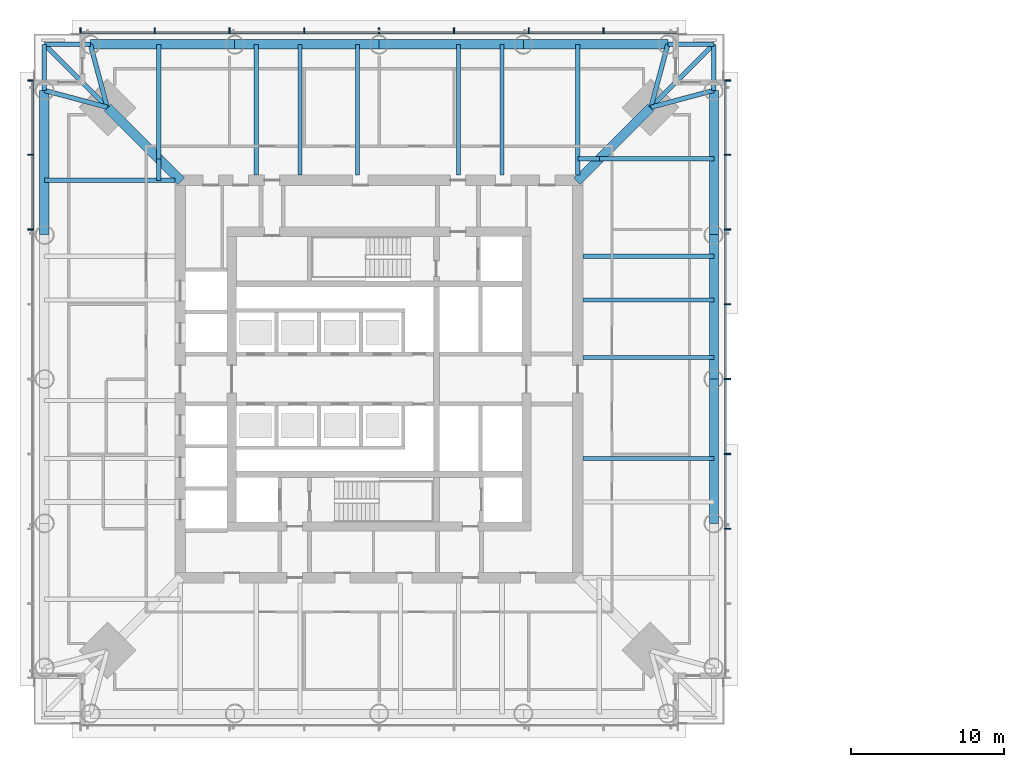
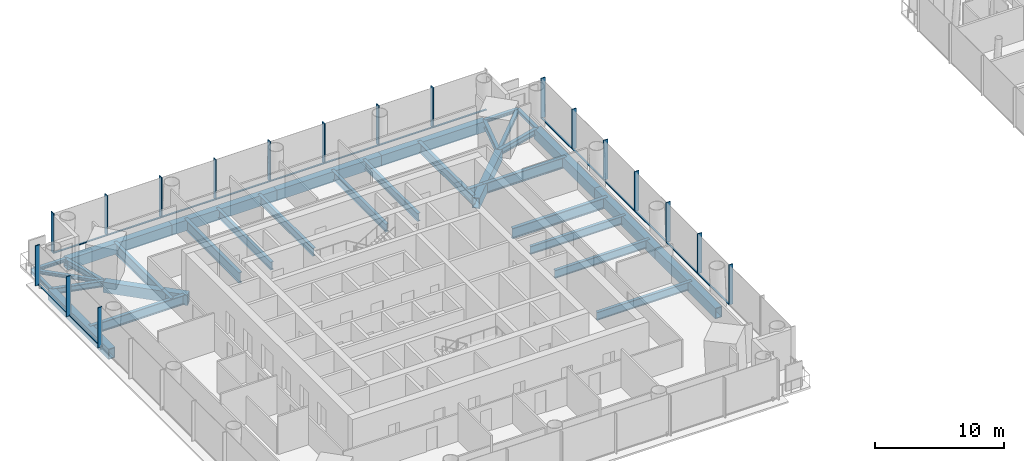
# One storey, part 3 of 27: 44 members, 25 beams, 3 elements without a shape of their own.
"""IFC4 building model written with IfcOpenShell, lengths in metres."""

from ifc_helpers import new_model, si_unit, direction, frame, origin, origin_2d, place, context, subcontext, project, spatial, rectangle, hollow_rectangle, i_section, extrude, material, material_profile, profile_set, type_object, element, aggregate, save


model = new_model("IFC4")

# Units and contexts
model_context = context("Model", 3, precision=1e-05, world=origin(), true_north=direction((0.0, 1.0)))
body_context = subcontext(model_context, "Body", "Model", "MODEL_VIEW")
ifc_project = project(units=[si_unit("LENGTHUNIT", "METRE"), si_unit("AREAUNIT", "SQUARE_METRE"), si_unit("VOLUMEUNIT", "CUBIC_METRE"), si_unit("PLANEANGLEUNIT", "RADIAN"), si_unit("MASSUNIT", "GRAM", prefix="KILO")], contexts=[model_context])

# Site, building, storey
site_placement = place(None, origin())
site = spatial("IfcSite", under=ifc_project, at=site_placement, CompositionType="ELEMENT")
building_placement = place(site_placement, origin())
building = spatial("IfcBuilding", under=site, at=building_placement, Name="Ostroluk Exchange", CompositionType="ELEMENT")
storey_placement = place(building_placement, frame((0.0, 0.0, 89.39990234375)))
storey = spatial("IfcBuildingStorey", under=building, at=storey_placement, Name="L22", CompositionType="ELEMENT", Elevation=89.39990234375)

# Beams
ifc_material_1 = material(Name="Steel S355", Category="steel")
ifc_material_profile_1 = material_profile(ifc_material_1, i_section(OverallWidth=0.300048828125, OverallDepth=0.300048828125, WebThickness=0.010986328125, FlangeThickness=0.01904296875, FilletRadius=0.027099609375, at=origin_2d()), Name="HEB 300")
ifc_profile_set_1 = profile_set([ifc_material_profile_1], Name="Steel S355")
beam_type_1 = type_object("IfcBeamType", Name="Balcony beam HEB 300", PredefinedType="BEAM", material=ifc_profile_set_1)
for number, where, z_axis, x_axis, name in (
    (1, (66.814208984375, 64.814208984375, -0.349853515625), (0.0, 1.0, 0.0), (-1.0, 0.0, 0.0), "T1 east balcony beam a"),
    (2, (63.814208984375, 67.814208984375, -0.349853515625), (1.0, 0.0, 0.0), (0.0, 1.0, 0.0), "T1 east balcony beam b"),
):
    element("IfcBeam", number, at=place(storey_placement, frame(where, z_axis=z_axis, x_axis=x_axis)), inside=storey, type_object=beam_type_1, Name=name, PredefinedType="BEAM", context=body_context, shape_type="SweptSolid", body=[
        extrude(i_section(OverallWidth=0.300048828125, OverallDepth=0.300048828125, WebThickness=0.010986328125, FlangeThickness=0.01904296875, FilletRadius=0.027099609375, at=origin_2d()), origin(), (0.0, 0.0, 1.0), 3.0),
    ])
beam_1_placement = place(storey_placement, frame((62.71435546875, 63.71435546875, -0.349853515625), z_axis=(0.707106781187, 0.707106781187, 0.0), x_axis=(-0.707106781187, 0.707106781187, 0.0)))
element("IfcBeam", 3, at=beam_1_placement, inside=storey, type_object=beam_type_1, Name="T1 east balcony beam c", PredefinedType="BEAM", context=body_context, shape_type="SweptSolid", body=[
    extrude(i_section(OverallWidth=0.300048828125, OverallDepth=0.300048828125, WebThickness=0.010986328125, FlangeThickness=0.01904296875, FilletRadius=0.027099609375, at=origin_2d()), origin(), (0.0, 0.0, 1.0), 5.798095703125),
])
for number, where, z_axis, x_axis, name in (
    (4, (26.185791015625, 67.814208984375, -0.349853515625), (-1.0, 0.0, 0.0), (0.0, -1.0, 0.0), "T1 north balcony beam a"),
    (5, (23.185791015625, 64.814208984375, -0.349853515625), (0.0, 1.0, 0.0), (-1.0, 0.0, 0.0), "T1 north balcony beam b"),
):
    element("IfcBeam", number, at=place(storey_placement, frame(where, z_axis=z_axis, x_axis=x_axis)), inside=storey, type_object=beam_type_1, Name=name, PredefinedType="BEAM", context=body_context, shape_type="SweptSolid", body=[
        extrude(i_section(OverallWidth=0.300048828125, OverallDepth=0.300048828125, WebThickness=0.010986328125, FlangeThickness=0.01904296875, FilletRadius=0.027099609375, at=origin_2d()), origin(), (0.0, 0.0, 1.0), 3.0),
    ])
beam_2_placement = place(storey_placement, frame((27.28564453125, 63.71435546875, -0.349853515625), z_axis=(-0.707106781187, 0.707106781187, 0.0), x_axis=(-0.707106781187, -0.707106781187, 0.0)))
element("IfcBeam", 6, at=beam_2_placement, inside=storey, type_object=beam_type_1, Name="T1 north balcony beam c", PredefinedType="BEAM", context=body_context, shape_type="SweptSolid", body=[
    extrude(i_section(OverallWidth=0.300048828125, OverallDepth=0.300048828125, WebThickness=0.010986328125, FlangeThickness=0.01904296875, FilletRadius=0.027099609375, at=origin_2d()), origin(), (0.0, 0.0, 1.0), 5.798095703125),
])

# Members
ifc_material_2 = material(Name="Steel S460", Category="steel")
ifc_material_profile_2 = material_profile(ifc_material_2, hollow_rectangle(XDim=0.60009765625, YDim=1.0, WallThickness=0.06005859375, at=origin_2d()), Name="BOX 600x1000x60")
ifc_profile_set_2 = profile_set([ifc_material_profile_2], Name="Steel S460")
member_type_1 = type_object("IfcMemberType", Name="Belt truss chord BOX 600x1000x60", PredefinedType="CHORD", material=ifc_profile_set_2)
for number, where, z_axis, x_axis, name in (
    (7, (66.814208984375, 36.5927734375, -0.699951171875), (0.0, 1.0, 0.0), (-1.0, 0.0, 0.0), "Belt truss 1 east chord 3.2"),
    (8, (66.814208984375, 46.0, -0.699951171875), (0.0, 1.0, 0.0), (-1.0, 0.0, 0.0), "Belt truss 1 east chord 3.3"),
):
    element("IfcMember", number, at=place(storey_placement, frame(where, z_axis=z_axis, x_axis=x_axis)), inside=storey, type_object=member_type_1, Name=name, PredefinedType="CHORD", context=body_context, shape_type="SweptSolid", body=[
        extrude(hollow_rectangle(XDim=0.60009765625, YDim=1.0, WallThickness=0.06005859375, at=origin_2d()), origin(), (0.0, 0.0, 1.0), 9.4072265625),
    ])
for number, where, z_axis, x_axis, name in (
    (9, (66.814208984375, 55.4072265625, -0.699951171875), (0.0, 1.0, 0.0), (-1.0, 0.0, 0.0), "Belt truss 1 east chord 3.4"),
    (10, (63.814208984375, 67.814208984375, -0.699951171875), (-1.0, 0.0, 0.0), (0.0, -1.0, 0.0), "Belt truss 1 north chord 3.1"),
):
    element("IfcMember", number, at=place(storey_placement, frame(where, z_axis=z_axis, x_axis=x_axis)), inside=storey, type_object=member_type_1, Name=name, PredefinedType="CHORD", context=body_context, shape_type="SweptSolid", body=[
        extrude(hollow_rectangle(XDim=0.60009765625, YDim=1.0, WallThickness=0.06005859375, at=origin_2d()), origin(), (0.0, 0.0, 1.0), 9.406982421875),
    ])
for number, where, z_axis, x_axis, name in (
    (11, (54.4072265625, 67.814208984375, -0.699951171875), (-1.0, 0.0, 0.0), (0.0, -1.0, 0.0), "Belt truss 1 north chord 3.2"),
    (12, (45.0, 67.814208984375, -0.699951171875), (-1.0, 0.0, 0.0), (0.0, -1.0, 0.0), "Belt truss 1 north chord 3.3"),
):
    element("IfcMember", number, at=place(storey_placement, frame(where, z_axis=z_axis, x_axis=x_axis)), inside=storey, type_object=member_type_1, Name=name, PredefinedType="CHORD", context=body_context, shape_type="SweptSolid", body=[
        extrude(hollow_rectangle(XDim=0.60009765625, YDim=1.0, WallThickness=0.06005859375, at=origin_2d()), origin(), (0.0, 0.0, 1.0), 9.4072265625),
    ])
for number, where, z_axis, x_axis, name in (
    (13, (35.5927734375, 67.814208984375, -0.699951171875), (-1.0, 0.0, 0.0), (0.0, -1.0, 0.0), "Belt truss 1 north chord 3.4"),
    (14, (23.185791015625, 64.814208984375, -0.699951171875), (0.0, -1.0, 0.0), (1.0, 0.0, 0.0), "Belt truss 1 west chord 3.1"),
):
    element("IfcMember", number, at=place(storey_placement, frame(where, z_axis=z_axis, x_axis=x_axis)), inside=storey, type_object=member_type_1, Name=name, PredefinedType="CHORD", context=body_context, shape_type="SweptSolid", body=[
        extrude(hollow_rectangle(XDim=0.60009765625, YDim=1.0, WallThickness=0.06005859375, at=origin_2d()), origin(), (0.0, 0.0, 1.0), 9.406982421875),
    ])

# Beams
ifc_material_3 = material(Name="Steel S355", Category="steel")
ifc_material_profile_3 = material_profile(ifc_material_3, i_section(OverallWidth=0.300048828125, OverallDepth=0.550048828125, WebThickness=0.014892578125, FlangeThickness=0.029052734375, FilletRadius=0.027099609375, at=origin_2d()), Name="HEB 550")
ifc_profile_set_3 = profile_set([ifc_material_profile_3], Name="Steel S355")
beam_type_2 = type_object("IfcBeamType", Name="Corner edge beam HEB 550", PredefinedType="SPANDREL", material=ifc_profile_set_3)
for number, where, z_axis, x_axis, name in (
    (15, (62.71435546875, 63.71435546875, -0.474853515625), (0.965849156574, 0.259105011038, 0.0), (-0.259105011038, 0.965849156574, 0.0), "T1 east corner edge beam a"),
    (16, (62.71435546875, 63.71435546875, -0.474853515625), (0.259105011038, 0.965849156574, 0.0), (-0.965849156574, 0.259105011038, 0.0), "T1 east corner edge beam b"),
    (17, (27.28564453125, 63.71435546875, -0.474853515625), (-0.259105011038, 0.965849156574, 0.0), (-0.965849156574, -0.259105011038, 0.0), "T1 north corner edge beam a"),
    (18, (27.28564453125, 63.71435546875, -0.474853515625), (-0.965849156574, 0.259105011038, 0.0), (-0.259105011038, -0.965849156574, 0.0), "T1 north corner edge beam b"),
):
    element("IfcBeam", number, at=place(storey_placement, frame(where, z_axis=z_axis, x_axis=x_axis)), inside=storey, type_object=beam_type_2, Name=name, PredefinedType="SPANDREL", context=body_context, shape_type="SweptSolid", body=[
        extrude(i_section(OverallWidth=0.300048828125, OverallDepth=0.550048828125, WebThickness=0.014892578125, FlangeThickness=0.029052734375, FilletRadius=0.027099609375, at=origin_2d()), origin(), (0.0, 0.0, 1.0), 4.244873046875),
    ])
ifc_material_4 = material(Name="Steel S355", Category="steel")
ifc_material_profile_4 = material_profile(ifc_material_4, i_section(OverallWidth=0.302001953125, OverallDepth=1.008056640625, WebThickness=0.02099609375, FlangeThickness=0.0400390625, FilletRadius=0.030029296875, at=origin_2d()), Name="HEM 1000")
ifc_profile_set_4 = profile_set([ifc_material_profile_4], Name="Steel S355")
beam_type_3 = type_object("IfcBeamType", Name="Floor beam HEM 1000", PredefinedType="BEAM", material=ifc_profile_set_4)
beam_3_placement = place(storey_placement, frame((58.300048828125, 54.007080078125, -0.703857421875), z_axis=(1.0, 0.0, 0.0), x_axis=(0.0, 1.0, 0.0)))
element("IfcBeam", 19, at=beam_3_placement, inside=storey, type_object=beam_type_3, Name="T1 east floor beam 5", PredefinedType="BEAM", context=body_context, shape_type="SweptSolid", body=[
    extrude(i_section(OverallWidth=0.302001953125, OverallDepth=1.008056640625, WebThickness=0.02099609375, FlangeThickness=0.0400390625, FilletRadius=0.030029296875, at=origin_2d()), origin(), (0.0, 0.0, 1.0), 8.51416015625),
])
beam_4_placement = place(storey_placement, frame((57.949951171875, 60.35009765625, -0.703857421875), z_axis=(1.0, 0.0, 0.0), x_axis=(0.0, 1.0, 0.0)))
element("IfcBeam", 20, at=beam_4_placement, inside=storey, type_object=beam_type_3, Name="T1 east floor beam 6", PredefinedType="BEAM", context=body_context, shape_type="SweptSolid", body=[
    extrude(i_section(OverallWidth=0.302001953125, OverallDepth=1.008056640625, WebThickness=0.02099609375, FlangeThickness=0.0400390625, FilletRadius=0.030029296875, at=origin_2d()), origin(), (0.0, 0.0, 1.0), 1.400146484375),
])
beam_5_placement = place(storey_placement, frame((59.35009765625, 60.35009765625, -0.703857421875), z_axis=(1.0, 0.0, 0.0), x_axis=(0.0, 1.0, 0.0)))
element("IfcBeam", 21, at=beam_5_placement, inside=storey, type_object=beam_type_3, Name="T1 east floor beam 6", PredefinedType="BEAM", context=body_context, shape_type="SweptSolid", body=[
    extrude(i_section(OverallWidth=0.302001953125, OverallDepth=1.008056640625, WebThickness=0.02099609375, FlangeThickness=0.0400390625, FilletRadius=0.030029296875, at=origin_2d()), origin(), (0.0, 0.0, 1.0), 7.464111328125),
])
beam_6_placement = place(storey_placement, frame((36.992919921875, 59.300048828125, -0.703857421875), z_axis=(0.0, 1.0, 0.0), x_axis=(-1.0, 0.0, 0.0)))
element("IfcBeam", 22, at=beam_6_placement, inside=storey, type_object=beam_type_3, Name="T1 north floor beam 5", PredefinedType="BEAM", context=body_context, shape_type="SweptSolid", body=[
    extrude(i_section(OverallWidth=0.302001953125, OverallDepth=1.008056640625, WebThickness=0.02099609375, FlangeThickness=0.0400390625, FilletRadius=0.030029296875, at=origin_2d()), origin(), (0.0, 0.0, 1.0), 8.51416015625),
])
beam_7_placement = place(storey_placement, frame((30.64990234375, 58.949951171875, -0.703857421875), z_axis=(0.0, 1.0, 0.0), x_axis=(-1.0, 0.0, 0.0)))
element("IfcBeam", 23, at=beam_7_placement, inside=storey, type_object=beam_type_3, Name="T1 north floor beam 6", PredefinedType="BEAM", context=body_context, shape_type="SweptSolid", body=[
    extrude(i_section(OverallWidth=0.302001953125, OverallDepth=1.008056640625, WebThickness=0.02099609375, FlangeThickness=0.0400390625, FilletRadius=0.030029296875, at=origin_2d()), origin(), (0.0, 0.0, 1.0), 1.400146484375),
])
beam_8_placement = place(storey_placement, frame((30.64990234375, 60.35009765625, -0.703857421875), z_axis=(0.0, 1.0, 0.0), x_axis=(-1.0, 0.0, 0.0)))
element("IfcBeam", 24, at=beam_8_placement, inside=storey, type_object=beam_type_3, Name="T1 north floor beam 6", PredefinedType="BEAM", context=body_context, shape_type="SweptSolid", body=[
    extrude(i_section(OverallWidth=0.302001953125, OverallDepth=1.008056640625, WebThickness=0.02099609375, FlangeThickness=0.0400390625, FilletRadius=0.030029296875, at=origin_2d()), origin(), (0.0, 0.0, 1.0), 7.464111328125),
])
ifc_material_5 = material(Name="Steel S355", Category="steel")
ifc_material_profile_5 = material_profile(ifc_material_5, i_section(OverallWidth=0.26708984375, OverallDepth=0.761962890625, WebThickness=0.014404296875, FlangeThickness=0.021484375, FilletRadius=0.01708984375, at=origin_2d()), Name="IPE 750x173")
ifc_profile_set_5 = profile_set([ifc_material_profile_5], Name="Steel S355")
beam_type_4 = type_object("IfcBeamType", Name="Floor beam IPE 750x173", PredefinedType="BEAM", material=ifc_profile_set_5)
for number, where, z_axis, x_axis, name in (
    (25, (58.300048828125, 40.837158203125, -0.580810546875), (1.0, 0.0, 0.0), (0.0, 1.0, 0.0), "T1 east floor beam 2"),
    (26, (58.300048828125, 47.39990234375, -0.580810546875), (1.0, 0.0, 0.0), (0.0, 1.0, 0.0), "T1 east floor beam 3"),
    (27, (58.300048828125, 51.162841796875, -0.580810546875), (1.0, 0.0, 0.0), (0.0, 1.0, 0.0), "T1 east floor beam 4"),
    (28, (53.007080078125, 59.300048828125, -0.580810546875), (0.0, 1.0, 0.0), (-1.0, 0.0, 0.0), "T1 north floor beam 1"),
    (29, (50.162841796875, 59.300048828125, -0.580810546875), (0.0, 1.0, 0.0), (-1.0, 0.0, 0.0), "T1 north floor beam 2"),
    (30, (43.60009765625, 59.300048828125, -0.580810546875), (0.0, 1.0, 0.0), (-1.0, 0.0, 0.0), "T1 north floor beam 3"),
    (31, (39.837158203125, 59.300048828125, -0.580810546875), (0.0, 1.0, 0.0), (-1.0, 0.0, 0.0), "T1 north floor beam 4"),
):
    element("IfcBeam", number, at=place(storey_placement, frame(where, z_axis=z_axis, x_axis=x_axis)), inside=storey, type_object=beam_type_4, Name=name, PredefinedType="BEAM", context=body_context, shape_type="SweptSolid", body=[
        extrude(i_section(OverallWidth=0.26708984375, OverallDepth=0.761962890625, WebThickness=0.014404296875, FlangeThickness=0.021484375, FilletRadius=0.01708984375, at=origin_2d()), origin(), (0.0, 0.0, 1.0), 8.51416015625),
    ])
ifc_material_6 = material(Name="Steel S355", Category="steel")
ifc_material_profile_6 = material_profile(ifc_material_6, i_section(OverallWidth=0.300048828125, OverallDepth=0.89990234375, WebThickness=0.0185546875, FlangeThickness=0.034912109375, FilletRadius=0.030029296875, at=origin_2d()), Name="HEB 900")
ifc_profile_set_6 = profile_set([ifc_material_profile_6], Name="Steel S355")
beam_type_5 = type_object("IfcBeamType", Name="Girder HEB 900", PredefinedType="BEAM", material=ifc_profile_set_6)
for number, where, z_axis, x_axis, name in (
    (32, (57.949951171875, 59.300048828125, -0.64990234375), (0.0, 1.0, 0.0), (-1.0, 0.0, 0.0), "T1 east girder"),
    (33, (31.699951171875, 58.949951171875, -0.64990234375), (-1.0, 0.0, 0.0), (0.0, -1.0, 0.0), "T1 north girder"),
):
    element("IfcBeam", number, at=place(storey_placement, frame(where, z_axis=z_axis, x_axis=x_axis)), inside=storey, type_object=beam_type_5, Name=name, PredefinedType="BEAM", context=body_context, shape_type="SweptSolid", body=[
        extrude(i_section(OverallWidth=0.300048828125, OverallDepth=0.89990234375, WebThickness=0.0185546875, FlangeThickness=0.034912109375, FilletRadius=0.030029296875, at=origin_2d()), origin(), (0.0, 0.0, 1.0), 8.51416015625),
    ])

# Members
ifc_material_7 = material(Name="Steel S460", Category="steel")
ifc_material_profile_7 = material_profile(ifc_material_7, hollow_rectangle(XDim=0.60009765625, YDim=1.0, WallThickness=0.06005859375, at=origin_2d()), Name="BOX 600x1000x60")
ifc_profile_set_7 = profile_set([ifc_material_profile_7], Name="Steel S460")
member_type_2 = type_object("IfcMemberType", Name="Outrigger chord BOX 600x1000x60", PredefinedType="CHORD", material=ifc_profile_set_7)
for number, where, z_axis, x_axis, name in (
    (34, (57.89990234375, 58.89990234375, -0.699951171875), (0.707106781187, 0.707106781187, 0.0), (-0.707106781187, 0.707106781187, 0.0), "Outrigger 1 NE chord 3"),
    (35, (32.10009765625, 58.89990234375, -0.699951171875), (-0.707106781187, 0.707106781187, 0.0), (-0.707106781187, -0.707106781187, 0.0), "Outrigger 1 NW chord 3"),
):
    element("IfcMember", number, at=place(storey_placement, frame(where, z_axis=z_axis, x_axis=x_axis)), inside=storey, type_object=member_type_2, Name=name, PredefinedType="CHORD", context=body_context, shape_type="SweptSolid", body=[
        extrude(hollow_rectangle(XDim=0.60009765625, YDim=1.0, WallThickness=0.06005859375, at=origin_2d()), origin(), (0.0, 0.0, 1.0), 6.80859375),
    ])

# Curtain wall, members
ifc_material_8 = material(Name="Laminated clear glass", Category="glass")
curtain_wall_type = type_object("IfcCurtainWallType", Name="Office tower plant and sky lobby facade", PredefinedType="USERDEFINED", material=ifc_material_8)
curtain_wall_1_placement = place(storey_placement, origin())
curtain_wall_1 = element("IfcCurtainWall", 36, at=curtain_wall_1_placement, inside=storey, type_object=curtain_wall_type, Name="Office tower east facade L22", ObjectType="LOUVRED CURTAIN WALL", PredefinedType="USERDEFINED")
ifc_material_9 = material(Name="Aluminium mullion", Category="aluminium")
ifc_material_profile_8 = material_profile(ifc_material_9, rectangle(XDim=0.14990234375, YDim=0.080078125, at=origin_2d()), Name="Sill transom 80 x 150")
ifc_profile_set_8 = profile_set([ifc_material_profile_8], Name="Aluminium mullion")
member_type_3 = type_object("IfcMemberType", Name="Sill transom 80 x 150", PredefinedType="USERDEFINED", material=ifc_profile_set_8)
member_1_placement = place(storey_placement, frame((67.574951171875, 36.2900390625, 0.0400390625), z_axis=(0.0, 1.0, 0.0), x_axis=(-1.0, 0.0, 0.0)))
member_1 = element("IfcMember", 37, at=member_1_placement, type_object=member_type_3, Name="CW-P1 transom 3.1", ObjectType="TRANSOM", PredefinedType="USERDEFINED", context=body_context, shape_type="SweptSolid", body=[
    extrude(rectangle(XDim=0.14990234375, YDim=0.080078125, at=origin_2d()), origin(), (0.0, 0.0, 1.0), 4.794921875),
])
member_2_placement = place(storey_placement, frame((67.574951171875, 41.1650390625, 0.0400390625), z_axis=(0.0, 1.0, 0.0), x_axis=(-1.0, 0.0, 0.0)))
member_2 = element("IfcMember", 38, at=member_2_placement, type_object=member_type_3, Name="CW-P1 transom 4.1", ObjectType="TRANSOM", PredefinedType="USERDEFINED", context=body_context, shape_type="SweptSolid", body=[
    extrude(rectangle(XDim=0.14990234375, YDim=0.080078125, at=origin_2d()), origin(), (0.0, 0.0, 1.0), 4.794921875),
])
member_3_placement = place(storey_placement, frame((67.574951171875, 46.0400390625, 0.0400390625), z_axis=(0.0, 1.0, 0.0), x_axis=(-1.0, 0.0, 0.0)))
member_3 = element("IfcMember", 39, at=member_3_placement, type_object=member_type_3, Name="CW-P1 transom 5.1", ObjectType="TRANSOM", PredefinedType="USERDEFINED", context=body_context, shape_type="SweptSolid", body=[
    extrude(rectangle(XDim=0.14990234375, YDim=0.080078125, at=origin_2d()), origin(), (0.0, 0.0, 1.0), 4.794921875),
])
member_4_placement = place(storey_placement, frame((67.574951171875, 50.9150390625, 0.0400390625), z_axis=(0.0, 1.0, 0.0), x_axis=(-1.0, 0.0, 0.0)))
member_4 = element("IfcMember", 40, at=member_4_placement, type_object=member_type_3, Name="CW-P1 transom 6.1", ObjectType="TRANSOM", PredefinedType="USERDEFINED", context=body_context, shape_type="SweptSolid", body=[
    extrude(rectangle(XDim=0.14990234375, YDim=0.080078125, at=origin_2d()), origin(), (0.0, 0.0, 1.0), 4.794921875),
])
member_5_placement = place(storey_placement, frame((67.574951171875, 55.7900390625, 0.0400390625), z_axis=(0.0, 1.0, 0.0), x_axis=(-1.0, 0.0, 0.0)))
member_5 = element("IfcMember", 41, at=member_5_placement, type_object=member_type_3, Name="CW-P1 transom 7.1", ObjectType="TRANSOM", PredefinedType="USERDEFINED", context=body_context, shape_type="SweptSolid", body=[
    extrude(rectangle(XDim=0.14990234375, YDim=0.080078125, at=origin_2d()), origin(), (0.0, 0.0, 1.0), 4.794921875),
])
member_6_placement = place(storey_placement, frame((67.574951171875, 60.6650390625, 0.0400390625), z_axis=(0.0, 1.0, 0.0), x_axis=(-1.0, 0.0, 0.0)))
member_6 = element("IfcMember", 42, at=member_6_placement, type_object=member_type_3, Name="CW-P1 transom 8.1", ObjectType="TRANSOM", PredefinedType="USERDEFINED", context=body_context, shape_type="SweptSolid", body=[
    extrude(rectangle(XDim=0.14990234375, YDim=0.080078125, at=origin_2d()), origin(), (0.0, 0.0, 1.0), 4.7548828125),
])

curtain_wall_2_placement = place(storey_placement, origin())
curtain_wall_2 = element("IfcCurtainWall", 43, at=curtain_wall_2_placement, inside=storey, type_object=curtain_wall_type, Name="Office tower north facade L22", ObjectType="LOUVRED CURTAIN WALL", PredefinedType="USERDEFINED")
member_7_placement = place(storey_placement, frame((64.419921875, 68.574951171875, 0.0400390625), z_axis=(-1.0, 0.0, 0.0), x_axis=(0.0, -1.0, 0.0)))
member_7 = element("IfcMember", 44, at=member_7_placement, type_object=member_type_3, Name="CW-P1 transom 1.1", ObjectType="TRANSOM", PredefinedType="USERDEFINED", context=body_context, shape_type="SweptSolid", body=[
    extrude(rectangle(XDim=0.14990234375, YDim=0.080078125, at=origin_2d()), origin(), (0.0, 0.0, 1.0), 4.7548828125),
])
member_8_placement = place(storey_placement, frame((59.5849609375, 68.574951171875, 0.0400390625), z_axis=(-1.0, 0.0, 0.0), x_axis=(0.0, -1.0, 0.0)))
member_8 = element("IfcMember", 45, at=member_8_placement, type_object=member_type_3, Name="CW-P1 transom 2.1", ObjectType="TRANSOM", PredefinedType="USERDEFINED", context=body_context, shape_type="SweptSolid", body=[
    extrude(rectangle(XDim=0.14990234375, YDim=0.080078125, at=origin_2d()), origin(), (0.0, 0.0, 1.0), 4.794921875),
])
member_9_placement = place(storey_placement, frame((54.7099609375, 68.574951171875, 0.0400390625), z_axis=(-1.0, 0.0, 0.0), x_axis=(0.0, -1.0, 0.0)))
member_9 = element("IfcMember", 46, at=member_9_placement, type_object=member_type_3, Name="CW-P1 transom 3.1", ObjectType="TRANSOM", PredefinedType="USERDEFINED", context=body_context, shape_type="SweptSolid", body=[
    extrude(rectangle(XDim=0.14990234375, YDim=0.080078125, at=origin_2d()), origin(), (0.0, 0.0, 1.0), 4.794921875),
])
member_10_placement = place(storey_placement, frame((49.8349609375, 68.574951171875, 0.0400390625), z_axis=(-1.0, 0.0, 0.0), x_axis=(0.0, -1.0, 0.0)))
member_10 = element("IfcMember", 47, at=member_10_placement, type_object=member_type_3, Name="CW-P1 transom 4.1", ObjectType="TRANSOM", PredefinedType="USERDEFINED", context=body_context, shape_type="SweptSolid", body=[
    extrude(rectangle(XDim=0.14990234375, YDim=0.080078125, at=origin_2d()), origin(), (0.0, 0.0, 1.0), 4.794921875),
])
member_11_placement = place(storey_placement, frame((44.9599609375, 68.574951171875, 0.0400390625), z_axis=(-1.0, 0.0, 0.0), x_axis=(0.0, -1.0, 0.0)))
member_11 = element("IfcMember", 48, at=member_11_placement, type_object=member_type_3, Name="CW-P1 transom 5.1", ObjectType="TRANSOM", PredefinedType="USERDEFINED", context=body_context, shape_type="SweptSolid", body=[
    extrude(rectangle(XDim=0.14990234375, YDim=0.080078125, at=origin_2d()), origin(), (0.0, 0.0, 1.0), 4.794921875),
])
member_12_placement = place(storey_placement, frame((40.0849609375, 68.574951171875, 0.0400390625), z_axis=(-1.0, 0.0, 0.0), x_axis=(0.0, -1.0, 0.0)))
member_12 = element("IfcMember", 49, at=member_12_placement, type_object=member_type_3, Name="CW-P1 transom 6.1", ObjectType="TRANSOM", PredefinedType="USERDEFINED", context=body_context, shape_type="SweptSolid", body=[
    extrude(rectangle(XDim=0.14990234375, YDim=0.080078125, at=origin_2d()), origin(), (0.0, 0.0, 1.0), 4.794921875),
])
member_13_placement = place(storey_placement, frame((35.2099609375, 68.574951171875, 0.0400390625), z_axis=(-1.0, 0.0, 0.0), x_axis=(0.0, -1.0, 0.0)))
member_13 = element("IfcMember", 50, at=member_13_placement, type_object=member_type_3, Name="CW-P1 transom 7.1", ObjectType="TRANSOM", PredefinedType="USERDEFINED", context=body_context, shape_type="SweptSolid", body=[
    extrude(rectangle(XDim=0.14990234375, YDim=0.080078125, at=origin_2d()), origin(), (0.0, 0.0, 1.0), 4.794921875),
])
member_14_placement = place(storey_placement, frame((30.3349609375, 68.574951171875, 0.0400390625), z_axis=(-1.0, 0.0, 0.0), x_axis=(0.0, -1.0, 0.0)))
member_14 = element("IfcMember", 51, at=member_14_placement, type_object=member_type_3, Name="CW-P1 transom 8.1", ObjectType="TRANSOM", PredefinedType="USERDEFINED", context=body_context, shape_type="SweptSolid", body=[
    extrude(rectangle(XDim=0.14990234375, YDim=0.080078125, at=origin_2d()), origin(), (0.0, 0.0, 1.0), 4.7548828125),
])

curtain_wall_3_placement = place(storey_placement, origin())
curtain_wall_3 = element("IfcCurtainWall", 52, at=curtain_wall_3_placement, inside=storey, type_object=curtain_wall_type, Name="Office tower west facade L22", ObjectType="LOUVRED CURTAIN WALL", PredefinedType="USERDEFINED")
member_15_placement = place(storey_placement, frame((22.425048828125, 65.419921875, 0.0400390625), z_axis=(0.0, -1.0, 0.0), x_axis=(1.0, 0.0, 0.0)))
member_15 = element("IfcMember", 53, at=member_15_placement, type_object=member_type_3, Name="CW-P1 transom 1.1", ObjectType="TRANSOM", PredefinedType="USERDEFINED", context=body_context, shape_type="SweptSolid", body=[
    extrude(rectangle(XDim=0.14990234375, YDim=0.080078125, at=origin_2d()), origin(), (0.0, 0.0, 1.0), 4.7548828125),
])
member_16_placement = place(storey_placement, frame((22.425048828125, 60.5849609375, 0.0400390625), z_axis=(0.0, -1.0, 0.0), x_axis=(1.0, 0.0, 0.0)))
member_16 = element("IfcMember", 54, at=member_16_placement, type_object=member_type_3, Name="CW-P1 transom 2.1", ObjectType="TRANSOM", PredefinedType="USERDEFINED", context=body_context, shape_type="SweptSolid", body=[
    extrude(rectangle(XDim=0.14990234375, YDim=0.080078125, at=origin_2d()), origin(), (0.0, 0.0, 1.0), 4.794921875),
])

# Member
ifc_material_10 = material(Name="Aluminium mullion with limestone facing", Category="masonry")
ifc_material_profile_9 = material_profile(ifc_material_10, rectangle(XDim=0.39990234375, YDim=0.080078125, at=origin_2d()), Name="Tracery mullion 80 x 400")
ifc_profile_set_9 = profile_set([ifc_material_profile_9], Name="Aluminium mullion with limestone facing")
member_type_4 = type_object("IfcMemberType", Name="Tracery mullion 80 x 400", PredefinedType="MULLION", material=ifc_profile_set_9)
member_17_placement = place(storey_placement, frame((67.699951171875, 36.25, 0.0), z_axis=(0.0, 0.0, 1.0), x_axis=(-1.0, 0.0, 0.0)))
member_17 = element("IfcMember", 55, at=member_17_placement, type_object=member_type_4, Name="CW-P1 mullion 3", PredefinedType="MULLION", context=body_context, shape_type="SweptSolid", body=[
    extrude(rectangle(XDim=0.39990234375, YDim=0.080078125, at=origin_2d()), origin(), (0.0, 0.0, 1.0), 3.800048828125),
])

member_18_placement = place(storey_placement, frame((67.699951171875, 41.125, 0.0), z_axis=(0.0, 0.0, 1.0), x_axis=(-1.0, 0.0, 0.0)))
member_18 = element("IfcMember", 56, at=member_18_placement, type_object=member_type_4, Name="CW-P1 mullion 4", PredefinedType="MULLION", context=body_context, shape_type="SweptSolid", body=[
    extrude(rectangle(XDim=0.39990234375, YDim=0.080078125, at=origin_2d()), origin(), (0.0, 0.0, 1.0), 3.800048828125),
])

member_19_placement = place(storey_placement, frame((67.699951171875, 46.0, 0.0), z_axis=(0.0, 0.0, 1.0), x_axis=(-1.0, 0.0, 0.0)))
member_19 = element("IfcMember", 57, at=member_19_placement, type_object=member_type_4, Name="CW-P1 mullion 5", PredefinedType="MULLION", context=body_context, shape_type="SweptSolid", body=[
    extrude(rectangle(XDim=0.39990234375, YDim=0.080078125, at=origin_2d()), origin(), (0.0, 0.0, 1.0), 3.800048828125),
])

member_20_placement = place(storey_placement, frame((67.699951171875, 50.875, 0.0), z_axis=(0.0, 0.0, 1.0), x_axis=(-1.0, 0.0, 0.0)))
member_20 = element("IfcMember", 58, at=member_20_placement, type_object=member_type_4, Name="CW-P1 mullion 6", PredefinedType="MULLION", context=body_context, shape_type="SweptSolid", body=[
    extrude(rectangle(XDim=0.39990234375, YDim=0.080078125, at=origin_2d()), origin(), (0.0, 0.0, 1.0), 3.800048828125),
])

member_21_placement = place(storey_placement, frame((67.699951171875, 55.75, 0.0), z_axis=(0.0, 0.0, 1.0), x_axis=(-1.0, 0.0, 0.0)))
member_21 = element("IfcMember", 59, at=member_21_placement, type_object=member_type_4, Name="CW-P1 mullion 7", PredefinedType="MULLION", context=body_context, shape_type="SweptSolid", body=[
    extrude(rectangle(XDim=0.39990234375, YDim=0.080078125, at=origin_2d()), origin(), (0.0, 0.0, 1.0), 3.800048828125),
])

member_22_placement = place(storey_placement, frame((67.699951171875, 60.625, 0.0), z_axis=(0.0, 0.0, 1.0), x_axis=(-1.0, 0.0, 0.0)))
member_22 = element("IfcMember", 60, at=member_22_placement, type_object=member_type_4, Name="CW-P1 mullion 8", PredefinedType="MULLION", context=body_context, shape_type="SweptSolid", body=[
    extrude(rectangle(XDim=0.39990234375, YDim=0.080078125, at=origin_2d()), origin(), (0.0, 0.0, 1.0), 3.800048828125),
])

member_23_placement = place(storey_placement, frame((67.699951171875, 65.4599609375, 0.0), z_axis=(0.0, 0.0, 1.0), x_axis=(-1.0, 0.0, 0.0)))
member_23 = element("IfcMember", 61, at=member_23_placement, type_object=member_type_4, Name="CW-P1 mullion 9", PredefinedType="MULLION", context=body_context, shape_type="SweptSolid", body=[
    extrude(rectangle(XDim=0.39990234375, YDim=0.080078125, at=origin_2d()), origin(), (0.0, 0.0, 1.0), 3.800048828125),
])

aggregate(curtain_wall_1, [member_17, member_18, member_19, member_20, member_21, member_22, member_23, member_1, member_2, member_3, member_4, member_5, member_6])

member_24_placement = place(storey_placement, frame((59.625, 68.699951171875, 0.0), z_axis=(0.0, 0.0, 1.0), x_axis=(0.0, -1.0, 0.0)))
member_24 = element("IfcMember", 62, at=member_24_placement, type_object=member_type_4, Name="CW-P1 mullion 2", PredefinedType="MULLION", context=body_context, shape_type="SweptSolid", body=[
    extrude(rectangle(XDim=0.39990234375, YDim=0.080078125, at=origin_2d()), origin(), (0.0, 0.0, 1.0), 3.800048828125),
])

member_25_placement = place(storey_placement, frame((54.75, 68.699951171875, 0.0), z_axis=(0.0, 0.0, 1.0), x_axis=(0.0, -1.0, 0.0)))
member_25 = element("IfcMember", 63, at=member_25_placement, type_object=member_type_4, Name="CW-P1 mullion 3", PredefinedType="MULLION", context=body_context, shape_type="SweptSolid", body=[
    extrude(rectangle(XDim=0.39990234375, YDim=0.080078125, at=origin_2d()), origin(), (0.0, 0.0, 1.0), 3.800048828125),
])

member_26_placement = place(storey_placement, frame((49.875, 68.699951171875, 0.0), z_axis=(0.0, 0.0, 1.0), x_axis=(0.0, -1.0, 0.0)))
member_26 = element("IfcMember", 64, at=member_26_placement, type_object=member_type_4, Name="CW-P1 mullion 4", PredefinedType="MULLION", context=body_context, shape_type="SweptSolid", body=[
    extrude(rectangle(XDim=0.39990234375, YDim=0.080078125, at=origin_2d()), origin(), (0.0, 0.0, 1.0), 3.800048828125),
])

member_27_placement = place(storey_placement, frame((45.0, 68.699951171875, 0.0), z_axis=(0.0, 0.0, 1.0), x_axis=(0.0, -1.0, 0.0)))
member_27 = element("IfcMember", 65, at=member_27_placement, type_object=member_type_4, Name="CW-P1 mullion 5", PredefinedType="MULLION", context=body_context, shape_type="SweptSolid", body=[
    extrude(rectangle(XDim=0.39990234375, YDim=0.080078125, at=origin_2d()), origin(), (0.0, 0.0, 1.0), 3.800048828125),
])

member_28_placement = place(storey_placement, frame((40.125, 68.699951171875, 0.0), z_axis=(0.0, 0.0, 1.0), x_axis=(0.0, -1.0, 0.0)))
member_28 = element("IfcMember", 66, at=member_28_placement, type_object=member_type_4, Name="CW-P1 mullion 6", PredefinedType="MULLION", context=body_context, shape_type="SweptSolid", body=[
    extrude(rectangle(XDim=0.39990234375, YDim=0.080078125, at=origin_2d()), origin(), (0.0, 0.0, 1.0), 3.800048828125),
])

member_29_placement = place(storey_placement, frame((35.25, 68.699951171875, 0.0), z_axis=(0.0, 0.0, 1.0), x_axis=(0.0, -1.0, 0.0)))
member_29 = element("IfcMember", 67, at=member_29_placement, type_object=member_type_4, Name="CW-P1 mullion 7", PredefinedType="MULLION", context=body_context, shape_type="SweptSolid", body=[
    extrude(rectangle(XDim=0.39990234375, YDim=0.080078125, at=origin_2d()), origin(), (0.0, 0.0, 1.0), 3.800048828125),
])

member_30_placement = place(storey_placement, frame((30.375, 68.699951171875, 0.0), z_axis=(0.0, 0.0, 1.0), x_axis=(0.0, -1.0, 0.0)))
member_30 = element("IfcMember", 68, at=member_30_placement, type_object=member_type_4, Name="CW-P1 mullion 8", PredefinedType="MULLION", context=body_context, shape_type="SweptSolid", body=[
    extrude(rectangle(XDim=0.39990234375, YDim=0.080078125, at=origin_2d()), origin(), (0.0, 0.0, 1.0), 3.800048828125),
])

member_31_placement = place(storey_placement, frame((25.5400390625, 68.699951171875, 0.0), z_axis=(0.0, 0.0, 1.0), x_axis=(0.0, -1.0, 0.0)))
member_31 = element("IfcMember", 69, at=member_31_placement, type_object=member_type_4, Name="CW-P1 mullion 9", PredefinedType="MULLION", context=body_context, shape_type="SweptSolid", body=[
    extrude(rectangle(XDim=0.39990234375, YDim=0.080078125, at=origin_2d()), origin(), (0.0, 0.0, 1.0), 3.800048828125),
])

aggregate(curtain_wall_2, [member_24, member_25, member_26, member_27, member_28, member_29, member_30, member_31, member_7, member_8, member_9, member_10, member_11, member_12, member_13, member_14])

member_32_placement = place(storey_placement, frame((22.300048828125, 65.4599609375, 0.0), z_axis=(0.0, 0.0, 1.0), x_axis=(1.0, 0.0, 0.0)))
member_32 = element("IfcMember", 70, at=member_32_placement, type_object=member_type_4, Name="CW-P1 mullion 1", PredefinedType="MULLION", context=body_context, shape_type="SweptSolid", body=[
    extrude(rectangle(XDim=0.39990234375, YDim=0.080078125, at=origin_2d()), origin(), (0.0, 0.0, 1.0), 3.800048828125),
])

member_33_placement = place(storey_placement, frame((22.300048828125, 60.625, 0.0), z_axis=(0.0, 0.0, 1.0), x_axis=(1.0, 0.0, 0.0)))
member_33 = element("IfcMember", 71, at=member_33_placement, type_object=member_type_4, Name="CW-P1 mullion 2", PredefinedType="MULLION", context=body_context, shape_type="SweptSolid", body=[
    extrude(rectangle(XDim=0.39990234375, YDim=0.080078125, at=origin_2d()), origin(), (0.0, 0.0, 1.0), 3.800048828125),
])

member_34_placement = place(storey_placement, frame((22.300048828125, 55.75, 0.0), z_axis=(0.0, 0.0, 1.0), x_axis=(1.0, 0.0, 0.0)))
member_34 = element("IfcMember", 72, at=member_34_placement, type_object=member_type_4, Name="CW-P1 mullion 3", PredefinedType="MULLION", context=body_context, shape_type="SweptSolid", body=[
    extrude(rectangle(XDim=0.39990234375, YDim=0.080078125, at=origin_2d()), origin(), (0.0, 0.0, 1.0), 3.800048828125),
])

aggregate(curtain_wall_3, [member_32, member_33, member_34, member_15, member_16])

save(model, "model.ifc")
